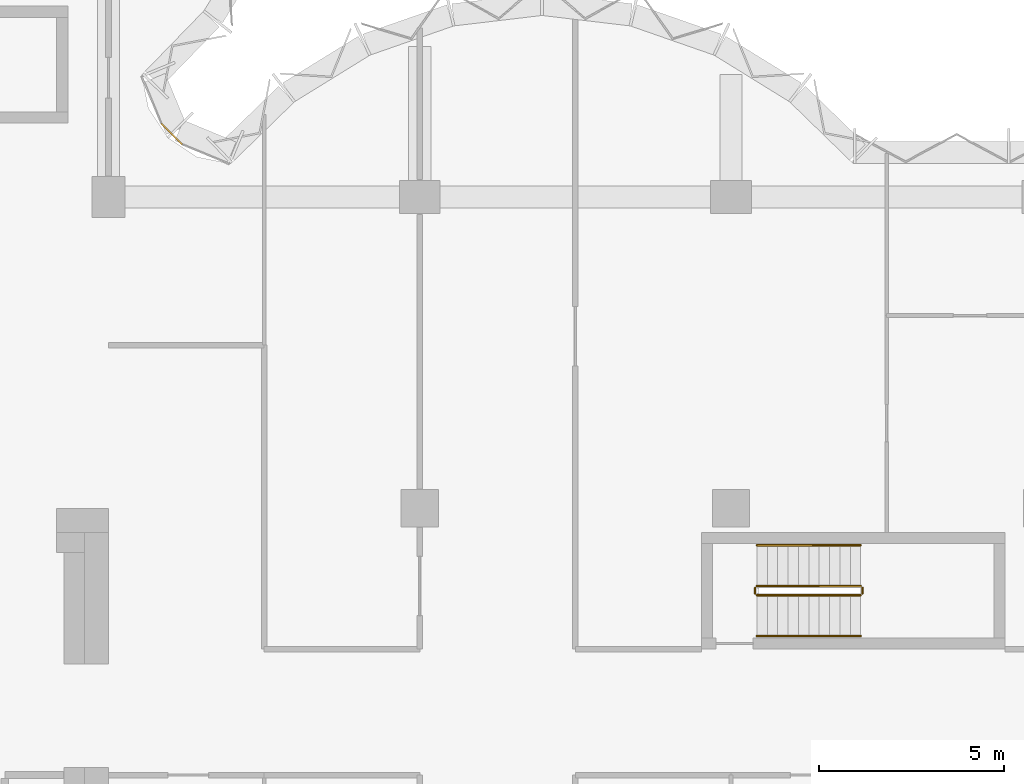
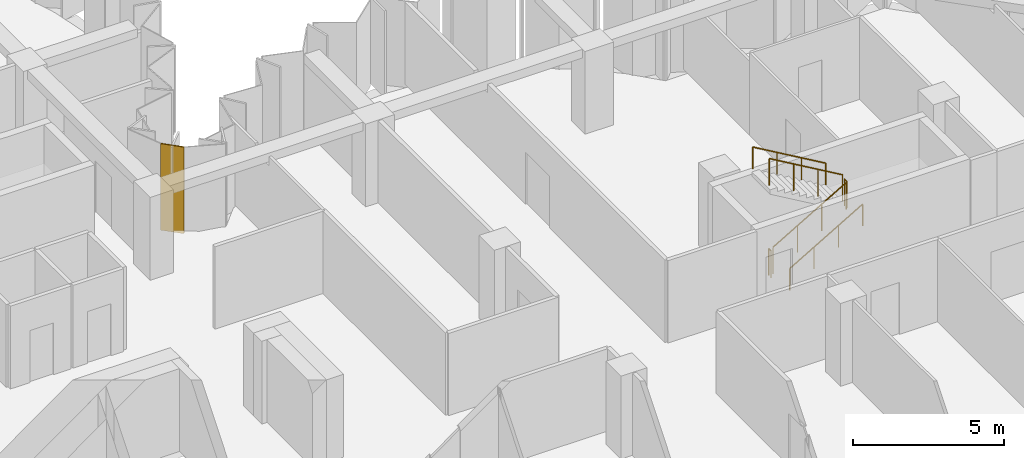
# One storey, part 10 of 10: 6 railings, 1 covering, 1 element without a shape of its own.
"""IFC4 building model written with IfcOpenShell, lengths in metres."""

from ifc_helpers import new_model, si_unit, direction, frame, origin, origin_2d, place, context, subcontext, project, spatial, polyline, circle, outline, extrude, material, layer, layer_set, type_object, element, aggregate, save


model = new_model("IFC4")

# Units and contexts
model_context = context("Model", 3, precision=1e-05, world=origin(), true_north=direction((0.0, 1.0)))
body_context = subcontext(model_context, "Body", "Model", "MODEL_VIEW")
ifc_project = project(units=[si_unit("LENGTHUNIT", "METRE"), si_unit("AREAUNIT", "SQUARE_METRE"), si_unit("VOLUMEUNIT", "CUBIC_METRE"), si_unit("PLANEANGLEUNIT", "RADIAN"), si_unit("MASSUNIT", "GRAM", prefix="KILO")], contexts=[model_context])

# Site, building, storey
site_placement = place(None, origin())
site = spatial("IfcSite", under=ifc_project, at=site_placement, CompositionType="ELEMENT")
building_placement = place(site_placement, origin())
building = spatial("IfcBuilding", under=site, at=building_placement, Name="Brevane Broadcast Tower", CompositionType="ELEMENT")
storey_placement = place(building_placement, frame((0.0, 0.0, 170.39990234375)))
storey = spatial("IfcBuildingStorey", under=building, at=storey_placement, Name="L42", CompositionType="ELEMENT", Elevation=170.39990234375)

# Railings
ifc_material_1 = material(Name="Steel S355", Category="steel")
railing_type_1 = type_object("IfcRailingType", Name="Exit stair guard", PredefinedType="GUARDRAIL", material=ifc_material_1)
railing_1_placement = place(storey_placement, frame((42.699951171875, 14.449951171875, 0.163818359375)))
element("IfcRailing", 1, at=railing_1_placement, inside=storey, type_object=railing_type_1, Name="L42 ST-4 stair guard 1", PredefinedType="GUARDRAIL", context=body_context, shape_type="SweptSolid", body=[
    extrude(circle(Radius=0.02392578125, at=origin_2d()), frame((0.0, 0.0, 1.076171875), z_axis=(0.863393664356, 0.0, 0.504530851732), x_axis=(0.0, 1.0, 0.0)), (0.0, 0.0, 1.0), 3.2431640625),
    extrude(circle(Radius=0.02099609375, at=origin_2d()), origin(), (0.0, 0.0, 1.0), 1.052001953125),
    extrude(circle(Radius=0.02099609375, at=origin_2d()), frame((0.933349609375, 0.0, 0.54541015625)), (0.0, 0.0, 1.0), 1.052001953125),
    extrude(circle(Radius=0.02099609375, at=origin_2d()), frame((1.86669921875, 0.0, 1.0908203125)), (0.0, 0.0, 1.0), 1.052001953125),
    extrude(circle(Radius=0.02099609375, at=origin_2d()), frame((2.800048828125, 0.0, 1.63623046875)), (0.0, 0.0, 1.0), 1.052001953125),
])
railing_2_placement = place(storey_placement, frame((45.550048828125, 14.5, 1.800048828125)))
element("IfcRailing", 2, at=railing_2_placement, inside=storey, type_object=railing_type_1, Name="L42 ST-4 stair guard 2", PredefinedType="GUARDRAIL", context=body_context, shape_type="SweptSolid", body=[
    extrude(circle(Radius=0.02392578125, at=origin_2d()), frame((0.0, 0.0, 1.076171875), z_axis=(0.0, 1.0, 0.0), x_axis=(-1.0, 0.0, 0.0)), (0.0, 0.0, 1.0), 0.14990234375),
    extrude(circle(Radius=0.02099609375, at=origin_2d()), origin(), (0.0, 0.0, 1.0), 1.052001953125),
    extrude(circle(Radius=0.02099609375, at=origin_2d()), frame((0.0, 0.14990234375, 0.0)), (0.0, 0.0, 1.0), 1.052001953125),
])
railing_3_placement = place(storey_placement, frame((45.5, 14.699951171875, 1.963623046875)))
element("IfcRailing", 3, at=railing_3_placement, inside=storey, type_object=railing_type_1, Name="L42 ST-4 stair guard 3", PredefinedType="GUARDRAIL", context=body_context, shape_type="SweptSolid", body=[
    extrude(circle(Radius=0.02392578125, at=origin_2d()), frame((0.0, 0.0, 1.076171875), z_axis=(-0.863360870873, 0.0, 0.504586966384), x_axis=(0.0, -1.0, 0.0)), (0.0, 0.0, 1.0), 3.2431640625),
    extrude(circle(Radius=0.02099609375, at=origin_2d()), origin(), (0.0, 0.0, 1.0), 1.052001953125),
    extrude(circle(Radius=0.02099609375, at=origin_2d()), frame((-0.933349609375, 0.0, 0.54541015625)), (0.0, 0.0, 1.0), 1.052001953125),
    extrude(circle(Radius=0.02099609375, at=origin_2d()), frame((-1.86669921875, 0.0, 1.091064453125)), (0.0, 0.0, 1.0), 1.052001953125),
    extrude(circle(Radius=0.02099609375, at=origin_2d()), frame((-2.800048828125, 0.0, 1.636474609375)), (0.0, 0.0, 1.0), 1.052001953125),
])
railing_4_placement = place(storey_placement, frame((42.64990234375, 14.5, 0.0)))
element("IfcRailing", 4, at=railing_4_placement, inside=storey, type_object=railing_type_1, Name="L42 ST-4 stair guard 4", PredefinedType="GUARDRAIL", context=body_context, shape_type="SweptSolid", body=[
    extrude(circle(Radius=0.02392578125, at=origin_2d()), frame((0.0, 0.0, 1.076171875), z_axis=(0.0, 1.0, 0.0), x_axis=(-1.0, 0.0, 0.0)), (0.0, 0.0, 1.0), 0.14990234375),
    extrude(circle(Radius=0.02099609375, at=origin_2d()), origin(), (0.0, 0.0, 1.0), 1.052001953125),
    extrude(circle(Radius=0.02099609375, at=origin_2d()), frame((0.0, 0.14990234375, 0.0)), (0.0, 0.0, 1.0), 1.052001953125),
])
railing_type_2 = type_object("IfcRailingType", Name="Exit stair handrail", PredefinedType="HANDRAIL", material=ifc_material_1)
railing_5_placement = place(storey_placement, frame((42.699951171875, 13.35009765625, 0.163818359375)))
element("IfcRailing", 5, at=railing_5_placement, inside=storey, type_object=railing_type_2, Name="L42 ST-4 stair handrail 1", PredefinedType="HANDRAIL", context=body_context, shape_type="SweptSolid", body=[
    extrude(circle(Radius=0.02392578125, at=origin_2d()), frame((0.0, 0.0, 0.8759765625), z_axis=(0.863393664356, 0.0, 0.504530851732), x_axis=(0.0, 1.0, 0.0)), (0.0, 0.0, 1.0), 3.2431640625),
    extrude(circle(Radius=0.02099609375, at=origin_2d()), origin(), (0.0, 0.0, 1.0), 0.851806640625),
    extrude(circle(Radius=0.02099609375, at=origin_2d()), frame((0.933349609375, 0.0, 0.54541015625)), (0.0, 0.0, 1.0), 0.851806640625),
    extrude(circle(Radius=0.02099609375, at=origin_2d()), frame((1.86669921875, 0.0, 1.0908203125)), (0.0, 0.0, 1.0), 0.851806640625),
    extrude(circle(Radius=0.02099609375, at=origin_2d()), frame((2.800048828125, 0.0, 1.63623046875)), (0.0, 0.0, 1.0), 0.851806640625),
])
railing_6_placement = place(storey_placement, frame((45.5, 15.800048828125, 1.963623046875)))
element("IfcRailing", 6, at=railing_6_placement, inside=storey, type_object=railing_type_2, Name="L42 ST-4 stair handrail 2", PredefinedType="HANDRAIL", context=body_context, shape_type="SweptSolid", body=[
    extrude(circle(Radius=0.02392578125, at=origin_2d()), frame((0.0, 0.0, 0.8759765625), z_axis=(-0.863360870873, 0.0, 0.504586966384), x_axis=(0.0, -1.0, 0.0)), (0.0, 0.0, 1.0), 3.2431640625),
    extrude(circle(Radius=0.02099609375, at=origin_2d()), origin(), (0.0, 0.0, 1.0), 0.851806640625),
    extrude(circle(Radius=0.02099609375, at=origin_2d()), frame((-0.933349609375, 0.0, 0.54541015625)), (0.0, 0.0, 1.0), 0.851806640625),
    extrude(circle(Radius=0.02099609375, at=origin_2d()), frame((-1.86669921875, 0.0, 1.091064453125)), (0.0, 0.0, 1.0), 0.851806640625),
    extrude(circle(Radius=0.02099609375, at=origin_2d()), frame((-2.800048828125, 0.0, 1.636474609375)), (0.0, 0.0, 1.0), 0.851806640625),
])

# Curtain wall, covering
ifc_material_2 = material(Name="Aluminium 6063-T6 bronze anodised", Category="aluminium")
curtain_wall_type = type_object("IfcCurtainWallType", Name="CW-1 curtain wall", PredefinedType="NOTDEFINED", material=ifc_material_2)
curtain_wall_placement = place(storey_placement, origin())
curtain_wall = element("IfcCurtainWall", 7, at=curtain_wall_placement, inside=storey, type_object=curtain_wall_type, Name="CW-1 typical tilted unit L42 inner corner", PredefinedType="NOTDEFINED")
ifc_material_3 = material(Name="Back-painted bronze glass shadow-box", Category="glass")
ifc_layer = layer(ifc_material_3, 0.0400390625)
ifc_layer_set = layer_set([ifc_layer], Name="Shadow-box panel 40")
covering_type = type_object("IfcCoveringType", Name="Shadow-box panel 40", PredefinedType="CLADDING", material=ifc_layer_set)
covering_placement = place(storey_placement, frame((0.0, 0.0, -0.14990234375)))
covering = element("IfcCovering", 8, at=covering_placement, type_object=covering_type, Name="Closure panel", PredefinedType="CLADDING", context=body_context, shape_type="SweptSolid", body=[
    extrude(outline(polyline([(27.17138671875, 26.60498046875), (27.2021484375, 26.635498046875), (26.635498046875, 27.2021484375), (26.60498046875, 27.17138671875), (27.17138671875, 26.60498046875)])), origin(), (0.0, 0.0, 1.0), 3.5),
])
aggregate(curtain_wall, [covering])

save(model, "model.ifc")
